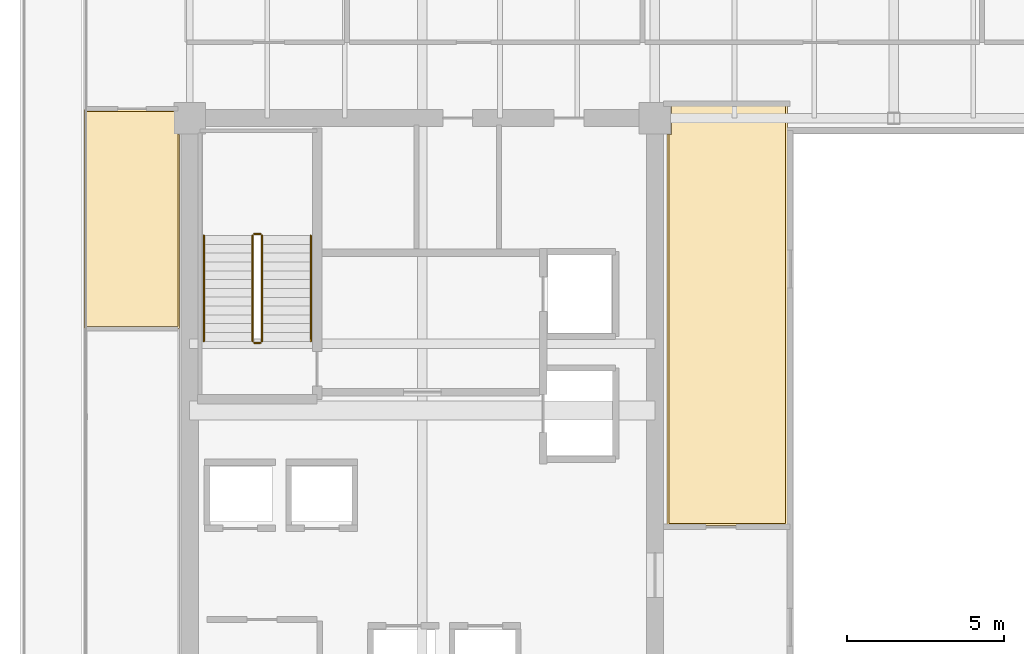
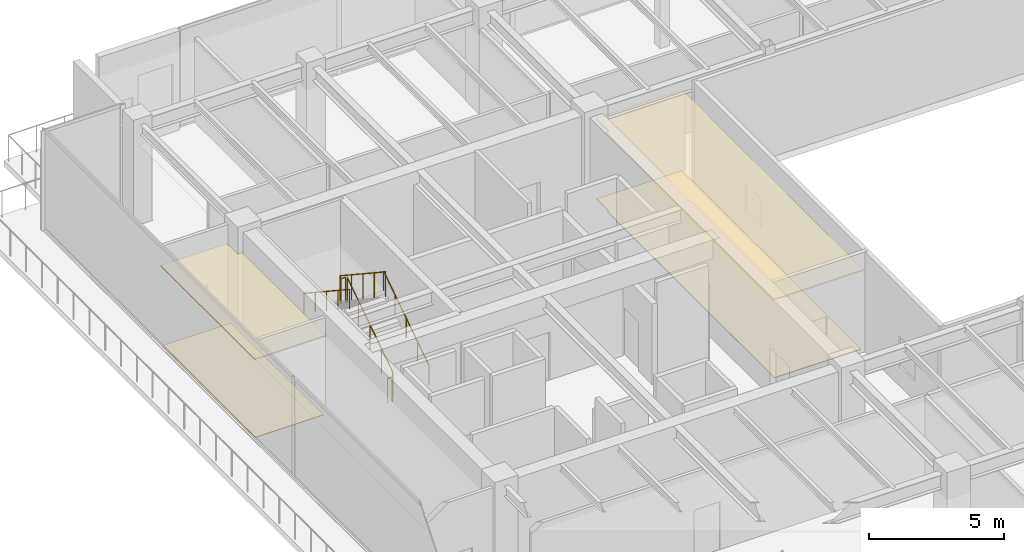
# One storey, part 33 of 37: 6 railings, 4 coverings.
"""IFC4 building model written with IfcOpenShell, lengths in metres."""

from ifc_helpers import new_model, si_unit, direction, frame, origin, origin_2d, place, context, subcontext, project, spatial, polyline, circle, outline, extrude, source, transform, mapped, material, layer, layer_set, type_object, type_shapes, element, save


model = new_model("IFC4")

# Units and contexts
model_context = context("Model", 3, precision=1e-05, world=origin(), true_north=direction((0.0, 1.0)))
body_context = subcontext(model_context, "Body", "Model", "MODEL_VIEW")
ifc_project = project(units=[si_unit("LENGTHUNIT", "METRE"), si_unit("AREAUNIT", "SQUARE_METRE"), si_unit("VOLUMEUNIT", "CUBIC_METRE"), si_unit("PLANEANGLEUNIT", "RADIAN"), si_unit("MASSUNIT", "GRAM", prefix="KILO")], contexts=[model_context])

# Site, building, storey
site_placement = place(None, origin())
site = spatial("IfcSite", under=ifc_project, at=site_placement, CompositionType="ELEMENT")
building_placement = place(site_placement, origin())
building = spatial("IfcBuilding", under=site, at=building_placement, Name="Haelvirn Gate Laboratories", CompositionType="ELEMENT")
storey_placement = place(building_placement, frame((0.0, 0.0, 196.60009765625)))
storey = spatial("IfcBuildingStorey", under=building, at=storey_placement, Name="L47", CompositionType="ELEMENT", Elevation=196.60009765625)

# Coverings
ifc_material_1 = material(Name="Washable cleanroom gasketed aluminium ceiling", Category="aluminium")
ifc_layer_1 = layer(ifc_material_1, 0.050048828125, Name="COV-CEIL-CLN")
ifc_layer_set_1 = layer_set([ifc_layer_1], Name="Washable cleanroom gasketed aluminium ceiling")
covering_type_1 = type_object("IfcCoveringType", Name="COV-CEIL-CLN", PredefinedType="CEILING", material=ifc_layer_set_1)
covering_1_placement = place(storey_placement, frame((0.0, 0.0, 3.56982421875)))
element("IfcCovering", 1, at=covering_1_placement, inside=storey, type_object=covering_type_1, Name="L47 Laboratory Acoustic Ceiling CEIL-SP-L47-WATRIUM-POD", PredefinedType="CEILING", context=body_context, shape_type="SweptSolid", body=[
    extrude(outline(polyline([(26.409912109375, 34.239990234375), (26.409912109375, 20.840087890625), (22.590087890625, 20.840087890625), (22.590087890625, 33.280029296875), (22.719970703125, 33.280029296875), (22.719970703125, 34.239990234375), (26.409912109375, 34.239990234375)])), origin(), (0.0, 0.0, 1.0), 0.050048828125),
])
covering_2_placement = place(storey_placement, frame((0.0, 0.0, 3.56982421875)))
element("IfcCovering", 2, at=covering_2_placement, inside=storey, type_object=covering_type_1, Name="L47 Laboratory Acoustic Ceiling CEIL-SP-L47-WZ3-N", PredefinedType="CEILING", context=body_context, shape_type="SweptSolid", body=[
    extrude(outline(polyline([(6.8798828125, 34.074951171875), (6.8798828125, 33.280029296875), (7.080078125, 33.280029296875), (7.080078125, 27.110107421875), (4.050048828125, 27.110107421875), (4.050048828125, 34.074951171875), (6.8798828125, 34.074951171875)])), origin(), (0.0, 0.0, 1.0), 0.050048828125),
])
ifc_material_2 = material(Name="Honed granite concourse terrazzo flooring", Category="masonry")
ifc_layer_2 = layer(ifc_material_2, 0.02490234375, Name="COV-FLR-TERRA")
ifc_layer_set_2 = layer_set([ifc_layer_2], Name="Honed granite concourse terrazzo flooring")
covering_type_2 = type_object("IfcCoveringType", Name="COV-FLR-TERRA", PredefinedType="FLOORING", material=ifc_layer_set_2)
covering_3_placement = place(storey_placement, origin())
element("IfcCovering", 3, at=covering_3_placement, inside=storey, type_object=covering_type_2, Name="L47 Seamless Laboratory Flooring FLR-SP-L47-WATRIUM-POD", PredefinedType="FLOORING", context=body_context, shape_type="SweptSolid", body=[
    extrude(outline(polyline([(22.719970703125, 33.280029296875), (22.719970703125, 34.179931640625), (26.35009765625, 34.179931640625), (26.35009765625, 20.89990234375), (22.64990234375, 20.89990234375), (22.64990234375, 33.280029296875), (22.719970703125, 33.280029296875)])), origin(), (0.0, 0.0, 1.0), 0.02490234375),
])
covering_4_placement = place(storey_placement, origin())
element("IfcCovering", 4, at=covering_4_placement, inside=storey, type_object=covering_type_2, Name="L47 Seamless Laboratory Flooring FLR-SP-L47-WZ3-N", PredefinedType="FLOORING", context=body_context, shape_type="SweptSolid", body=[
    extrude(outline(polyline([(4.110107421875, 34.014892578125), (7.02001953125, 34.014892578125), (7.02001953125, 27.169921875), (4.110107421875, 27.169921875), (4.110107421875, 34.014892578125)])), origin(), (0.0, 0.0, 1.0), 0.02490234375),
])

# Railings
ifc_material_3 = material(Name="Galvanised steel SM355 & stainless top rail", Category="steel")
railing_type_1 = type_object("IfcRailingType", Name="RL-GUARD-1150", PredefinedType="GUARDRAIL", material=ifc_material_3)
shared_shape_1 = source(origin(), body_context, "Body", "SweptSolid", [
    extrude(circle(Radius=0.02392578125, at=origin_2d()), frame((0.0, 0.0, 1.1259765625), z_axis=(0.0, 0.834876476806, 0.550437342915), x_axis=(-1.0, 0.0, 0.0)), (0.0, 0.0, 1.0), 4.024658203125),
    extrude(circle(Radius=0.02099609375, at=origin_2d()), origin(), (0.0, 0.0, 1.0), 1.101806640625),
    extrude(circle(Radius=0.02099609375, at=origin_2d()), frame((0.0, 0.840087890625, 0.5537109375)), (0.0, 0.0, 1.0), 1.101806640625),
    extrude(circle(Radius=0.02099609375, at=origin_2d()), frame((0.0, 1.68017578125, 1.107666015625)), (0.0, 0.0, 1.0), 1.101806640625),
    extrude(circle(Radius=0.02099609375, at=origin_2d()), frame((0.0, 2.52001953125, 1.66162109375)), (0.0, 0.0, 1.0), 1.101806640625),
    extrude(circle(Radius=0.02099609375, at=origin_2d()), frame((0.0, 3.360107421875, 2.21533203125)), (0.0, 0.0, 1.0), 1.101806640625),
])
railing_1_placement = place(storey_placement, frame((9.699951171875, 26.699951171875, 0.1845703125)))
element("IfcRailing", 5, at=railing_1_placement, inside=storey, type_object=railing_type_1, Name="L47 ST1 stair guard 1", PredefinedType="GUARDRAIL", context=body_context, shape_type="MappedRepresentation", body=[
    mapped(shared_shape_1, transform((0.0, 0.0, 0.0), scale=1.0)),
])
shared_shape_2 = source(origin(), body_context, "Body", "SweptSolid", [
    extrude(circle(Radius=0.02392578125, at=origin_2d()), frame((0.0, 0.0, 1.1259765625), z_axis=(-1.0, 0.0, 0.0), x_axis=(0.0, -1.0, 0.0)), (0.0, 0.0, 1.0), 0.199951171875),
    extrude(circle(Radius=0.02099609375, at=origin_2d()), origin(), (0.0, 0.0, 1.0), 1.101806640625),
    extrude(circle(Radius=0.02099609375, at=origin_2d()), frame((-0.199951171875, 0.0, 0.0)), (0.0, 0.0, 1.0), 1.101806640625),
])
for number, where, name in (
    (6, (9.64990234375, 30.110107421875, 2.39990234375), "L47 ST1 stair guard 2"),
    (7, (9.64990234375, 26.64990234375, 0.0), "L47 ST1 stair guard 4"),
):
    element("IfcRailing", number, at=place(storey_placement, frame(where)), inside=storey, type_object=railing_type_1, Name=name, PredefinedType="GUARDRAIL", context=body_context, shape_type="MappedRepresentation", body=[
        mapped(shared_shape_2, transform((0.0, 0.0, 0.0), scale=1.0)),
    ])
shared_shape_3 = source(origin(), body_context, "Body", "SweptSolid", [
    extrude(circle(Radius=0.02392578125, at=origin_2d()), frame((0.0, 0.0, 1.1259765625), z_axis=(0.0, -0.834876476806, 0.550437342915), x_axis=(1.0, 0.0, 0.0)), (0.0, 0.0, 1.0), 4.024658203125),
    extrude(circle(Radius=0.02099609375, at=origin_2d()), origin(), (0.0, 0.0, 1.0), 1.101806640625),
    extrude(circle(Radius=0.02099609375, at=origin_2d()), frame((0.0, -0.840087890625, 0.5537109375)), (0.0, 0.0, 1.0), 1.101806640625),
    extrude(circle(Radius=0.02099609375, at=origin_2d()), frame((0.0, -1.68017578125, 1.107666015625)), (0.0, 0.0, 1.0), 1.101806640625),
    extrude(circle(Radius=0.02099609375, at=origin_2d()), frame((0.0, -2.52001953125, 1.66162109375)), (0.0, 0.0, 1.0), 1.101806640625),
    extrude(circle(Radius=0.02099609375, at=origin_2d()), frame((0.0, -3.360107421875, 2.21533203125)), (0.0, 0.0, 1.0), 1.101806640625),
])
type_shapes(railing_type_1, [shared_shape_1, shared_shape_2, shared_shape_3])
railing_2_placement = place(storey_placement, frame((9.39990234375, 30.06005859375, 2.58447265625)))
element("IfcRailing", 8, at=railing_2_placement, inside=storey, type_object=railing_type_1, Name="L47 ST1 stair guard 3", PredefinedType="GUARDRAIL", context=body_context, shape_type="MappedRepresentation", body=[
    mapped(shared_shape_3, transform((0.0, 0.0, 0.0), scale=1.0)),
])
ifc_material_4 = material(Name="Brushed stainless steel 316L", Category="steel")
railing_type_2 = type_object("IfcRailingType", Name="RL-HAND-920", PredefinedType="HANDRAIL", material=ifc_material_4)
shared_shape_4 = source(origin(), body_context, "Body", "SweptSolid", [
    extrude(circle(Radius=0.02392578125, at=origin_2d()), frame((0.0, 0.0, 0.8759765625), z_axis=(0.0, 0.834876476806, 0.550437342915), x_axis=(-1.0, 0.0, 0.0)), (0.0, 0.0, 1.0), 4.024658203125),
    extrude(circle(Radius=0.02099609375, at=origin_2d()), origin(), (0.0, 0.0, 1.0), 0.851806640625),
    extrude(circle(Radius=0.02099609375, at=origin_2d()), frame((0.0, 0.840087890625, 0.5537109375)), (0.0, 0.0, 1.0), 0.851806640625),
    extrude(circle(Radius=0.02099609375, at=origin_2d()), frame((0.0, 1.68017578125, 1.107666015625)), (0.0, 0.0, 1.0), 0.851806640625),
    extrude(circle(Radius=0.02099609375, at=origin_2d()), frame((0.0, 2.52001953125, 1.66162109375)), (0.0, 0.0, 1.0), 0.851806640625),
    extrude(circle(Radius=0.02099609375, at=origin_2d()), frame((0.0, 3.360107421875, 2.21533203125)), (0.0, 0.0, 1.0), 0.851806640625),
])
railing_3_placement = place(storey_placement, frame((11.25, 26.699951171875, 0.1845703125)))
element("IfcRailing", 9, at=railing_3_placement, inside=storey, type_object=railing_type_2, Name="L47 ST1 stair handrail 1", PredefinedType="HANDRAIL", context=body_context, shape_type="MappedRepresentation", body=[
    mapped(shared_shape_4, transform((0.0, 0.0, 0.0), scale=1.0)),
])
shared_shape_5 = source(origin(), body_context, "Body", "SweptSolid", [
    extrude(circle(Radius=0.02392578125, at=origin_2d()), frame((0.0, 0.0, 0.8759765625), z_axis=(0.0, -0.834876476806, 0.550437342915), x_axis=(1.0, 0.0, 0.0)), (0.0, 0.0, 1.0), 4.024658203125),
    extrude(circle(Radius=0.02099609375, at=origin_2d()), origin(), (0.0, 0.0, 1.0), 0.851806640625),
    extrude(circle(Radius=0.02099609375, at=origin_2d()), frame((0.0, -0.840087890625, 0.5537109375)), (0.0, 0.0, 1.0), 0.851806640625),
    extrude(circle(Radius=0.02099609375, at=origin_2d()), frame((0.0, -1.68017578125, 1.107666015625)), (0.0, 0.0, 1.0), 0.851806640625),
    extrude(circle(Radius=0.02099609375, at=origin_2d()), frame((0.0, -2.52001953125, 1.66162109375)), (0.0, 0.0, 1.0), 0.851806640625),
    extrude(circle(Radius=0.02099609375, at=origin_2d()), frame((0.0, -3.360107421875, 2.21533203125)), (0.0, 0.0, 1.0), 0.851806640625),
])
type_shapes(railing_type_2, [shared_shape_4, shared_shape_5])
railing_4_placement = place(storey_placement, frame((7.85009765625, 30.06005859375, 2.58447265625)))
element("IfcRailing", 10, at=railing_4_placement, inside=storey, type_object=railing_type_2, Name="L47 ST1 stair handrail 2", PredefinedType="HANDRAIL", context=body_context, shape_type="MappedRepresentation", body=[
    mapped(shared_shape_5, transform((0.0, 0.0, 0.0), scale=1.0)),
])

save(model, "model.ifc")
